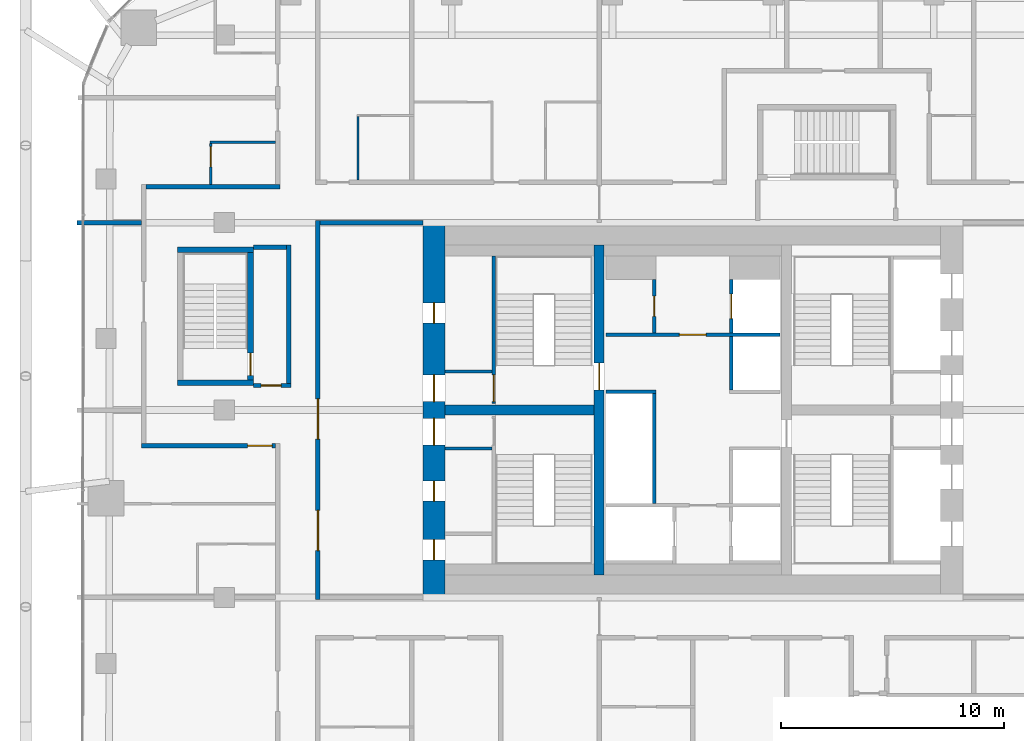
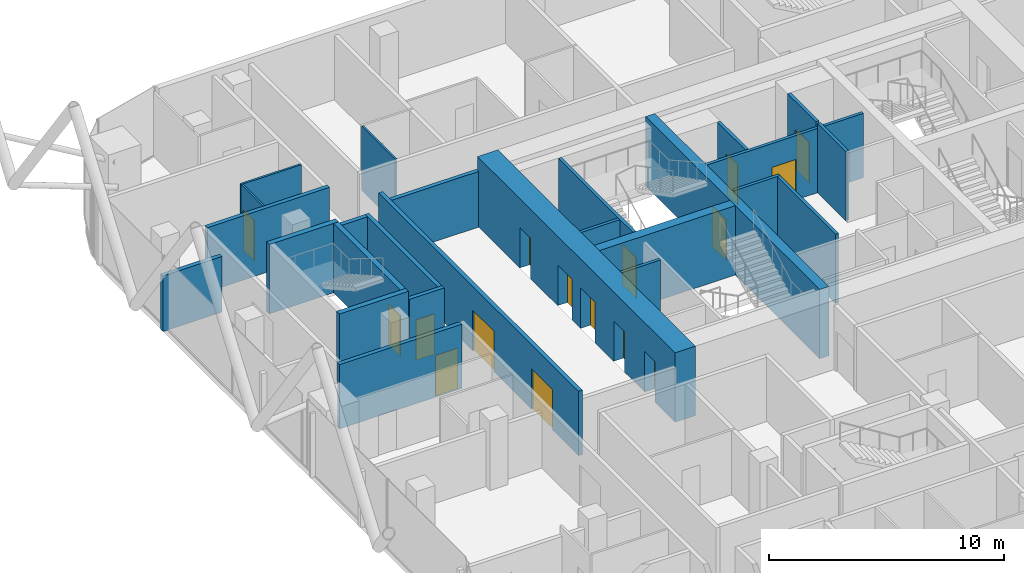
# One storey, part 31 of 36: 26 walls, 16 doors, 16 openings.
"""IFC4 building model written with IfcOpenShell, lengths in metres."""

from ifc_helpers import new_model, si_unit, direction, frame, frame_2d, origin, place, context, subcontext, project, spatial, rectangle, extrude, material, layer, layer_set, type_object, element, fill, save


model = new_model("IFC4")

# Units and contexts
model_context = context("Model", 3, precision=1e-05, world=origin(), true_north=direction((0.0, 1.0)))
body_context = subcontext(model_context, "Body", "Model", "MODEL_VIEW")
ifc_project = project(units=[si_unit("LENGTHUNIT", "METRE"), si_unit("AREAUNIT", "SQUARE_METRE"), si_unit("VOLUMEUNIT", "CUBIC_METRE"), si_unit("PLANEANGLEUNIT", "RADIAN"), si_unit("MASSUNIT", "GRAM", prefix="KILO")], contexts=[model_context])

# Site, building, storey
site_placement = place(None, origin())
site = spatial("IfcSite", under=ifc_project, at=site_placement, CompositionType="ELEMENT")
building_placement = place(site_placement, origin())
building = spatial("IfcBuilding", under=site, at=building_placement, Name="Marenta Gate Hotel Tower", CompositionType="ELEMENT")
storey_placement = place(building_placement, frame((0.0, 0.0, 130.10009765625)))
storey = spatial("IfcBuildingStorey", under=building, at=storey_placement, Name="L29", CompositionType="ELEMENT", Elevation=130.10009765625)

# Wall, openings, doors
ifc_material_1 = material(Name="Concrete blockwork", Category="masonry")
ifc_layer_1 = layer(ifc_material_1, 0.199951171875)
ifc_layer_set_1 = layer_set([ifc_layer_1], Name="Concrete blockwork")
wall_type_1 = type_object("IfcWallType", Name="Core boundary wall 200 REI 180", PredefinedType="PARTITIONING", material=ifc_layer_set_1)
wall_1_placement = place(storey_placement, frame((-16.800048828125, -0.10009765625, 0.0), z_axis=(0.0, 0.0, 1.0), x_axis=(0.0, 1.0, 0.0)))
wall_1 = element("IfcWall", 1, at=wall_1_placement, inside=storey, type_object=wall_type_1, Name="L29-CP-BW-W", PredefinedType="PARTITIONING", context=body_context, shape_type="SweptSolid", body=[
    extrude(rectangle(XDim=17.0, YDim=0.199951171875, at=frame_2d((8.5, 0.0))), origin(), (0.0, 0.0, 1.0), 3.33984375),
])
opening_1_placement = place(wall_1_placement, frame((2.199951171875, 0.0, 0.0)))
opening_1 = element("IfcOpeningElement", 2, at=opening_1_placement, cuts=wall_1, Name="Opening ED-Wa-B", PredefinedType="OPENING", context=body_context, shape_type="SweptSolid", body=[
    extrude(rectangle(XDim=1.800048828125, YDim=2.10009765625, at=frame_2d((0.89990234375, 1.050048828125))), frame((0.0, 0.10009765625, 0.0), z_axis=(0.0, -1.0, 0.0), x_axis=(1.0, 0.0, 0.0)), (0.0, 0.0, 1.0), 0.199951171875),
])
opening_2_placement = place(wall_1_placement, frame((7.199951171875, 0.0, 0.0)))
opening_2 = element("IfcOpeningElement", 3, at=opening_2_placement, cuts=wall_1, Name="Opening ED-Wb-B", PredefinedType="OPENING", context=body_context, shape_type="SweptSolid", body=[
    extrude(rectangle(XDim=1.800048828125, YDim=2.10009765625, at=frame_2d((0.89990234375, 1.050048828125))), frame((0.0, 0.10009765625, 0.0), z_axis=(0.0, -1.0, 0.0), x_axis=(1.0, 0.0, 0.0)), (0.0, 0.0, 1.0), 0.199951171875),
])
ifc_material_2 = material(Name="Steel", Category="steel")
door_type_1 = type_object("IfcDoorType", Name="Core lobby entrance door 1800x2100 EI 60", OperationType="DOUBLE_DOOR_SINGLE_SWING", PredefinedType="DOOR", material=ifc_material_2)
door_1_placement = place(opening_1_placement, origin())
door_1 = element("IfcDoor", 4, at=door_1_placement, inside=storey, type_object=door_type_1, Name="ED-Wa-B", OperationType="DOUBLE_DOOR_SINGLE_SWING", OverallHeight=2.10009765625, OverallWidth=1.800048828125, PredefinedType="DOOR", context=body_context, shape_type="SweptSolid", body=[
    extrude(rectangle(XDim=1.800048828125, YDim=2.10009765625, at=frame_2d((0.89990234375, 1.050048828125))), frame((0.0, 0.02490234375, 0.0), z_axis=(0.0, -1.0, 0.0), x_axis=(1.0, 0.0, 0.0)), (0.0, 0.0, 1.0), 0.050048828125),
])
fill(opening_1, door_1)
door_2_placement = place(opening_2_placement, origin())
door_2 = element("IfcDoor", 5, at=door_2_placement, inside=storey, type_object=door_type_1, Name="ED-Wb-B", OperationType="DOUBLE_DOOR_SINGLE_SWING", OverallHeight=2.10009765625, OverallWidth=1.800048828125, PredefinedType="DOOR", context=body_context, shape_type="SweptSolid", body=[
    extrude(rectangle(XDim=1.800048828125, YDim=2.10009765625, at=frame_2d((0.89990234375, 1.050048828125))), frame((0.0, 0.02490234375, 0.0), z_axis=(0.0, -1.0, 0.0), x_axis=(1.0, 0.0, 0.0)), (0.0, 0.0, 1.0), 0.050048828125),
])
fill(opening_2, door_2)

# Wall
wall_2_placement = place(storey_placement, frame((-16.699951171875, 16.800048828125, 0.0), z_axis=(0.0, 0.0, 1.0), x_axis=(1.0, 0.0, 0.0)))
element("IfcWall", 6, at=wall_2_placement, inside=storey, type_object=wall_type_1, Name="L29-CP-EW-WN", PredefinedType="PARTITIONING", context=body_context, shape_type="SweptSolid", body=[
    extrude(rectangle(XDim=4.599853515625, YDim=0.199951171875, at=frame_2d((2.2998046875, 0.0))), origin(), (0.0, 0.0, 1.0), 2.889892578125),
])

# Wall, opening, door
ifc_material_3 = material(Name="Concrete blockwork", Category="masonry")
ifc_layer_2 = layer(ifc_material_3, 0.14990234375)
ifc_layer_set_2 = layer_set([ifc_layer_2], Name="Concrete blockwork")
wall_type_2 = type_object("IfcWallType", Name="Core lobby partition 150 REI 180", PredefinedType="PARTITIONING", material=ifc_layer_set_2)
wall_3_placement = place(storey_placement, frame((-3.89990234375, 11.77490234375, 0.0), z_axis=(0.0, 0.0, 1.0), x_axis=(1.0, 0.0, 0.0)))
wall_3 = element("IfcWall", 7, at=wall_3_placement, inside=storey, type_object=wall_type_2, Name="L29-CP-CW-N", PredefinedType="PARTITIONING", context=body_context, shape_type="SweptSolid", body=[
    extrude(rectangle(XDim=7.7998046875, YDim=0.14990234375, at=frame_2d((3.89990234375, 0.0))), origin(), (0.0, 0.0, 1.0), 3.33984375),
])
opening_3_placement = place(wall_3_placement, frame((3.300048828125, 0.0, 0.0)))
opening_3 = element("IfcOpeningElement", 8, at=opening_3_placement, cuts=wall_3, Name="Opening FD-FFN", PredefinedType="OPENING", context=body_context, shape_type="SweptSolid", body=[
    extrude(rectangle(XDim=1.199951171875, YDim=2.10009765625, at=frame_2d((0.60009765625, 1.050048828125))), frame((0.0, 0.074951171875, 0.0), z_axis=(0.0, -1.0, 0.0), x_axis=(1.0, 0.0, 0.0)), (0.0, 0.0, 1.0), 0.14990234375),
])
ifc_material_4 = material(Name="Steel", Category="steel")
door_type_2 = type_object("IfcDoorType", Name="Core lobby door 1200x2100 FD60", OperationType="SINGLE_SWING_LEFT", PredefinedType="DOOR", material=ifc_material_4)
door_3_placement = place(opening_3_placement, origin())
door_3 = element("IfcDoor", 9, at=door_3_placement, inside=storey, type_object=door_type_2, Name="FD-FFN", OperationType="SINGLE_SWING_LEFT", OverallHeight=2.10009765625, OverallWidth=1.199951171875, PredefinedType="DOOR", context=body_context, shape_type="SweptSolid", body=[
    extrude(rectangle(XDim=1.199951171875, YDim=2.10009765625, at=frame_2d((0.60009765625, 1.050048828125))), frame((0.0, 0.02490234375, 0.0), z_axis=(0.0, -1.0, 0.0), x_axis=(1.0, 0.0, 0.0)), (0.0, 0.0, 1.0), 0.050048828125),
])
fill(opening_3, door_3)

# Walls
ifc_material_5 = material(Name="Concrete blockwork", Category="masonry")
ifc_layer_3 = layer(ifc_material_5, 0.14990234375)
ifc_layer_set_3 = layer_set([ifc_layer_3], Name="Concrete blockwork")
wall_type_3 = type_object("IfcWallType", Name="Core room partition 150 REI 180", PredefinedType="PARTITIONING", material=ifc_layer_set_3)
for number, where, z_axis, x_axis, name in (
    (10, (-11.10009765625, 6.675048828125, 0.0), (0.0, 0.0, 1.0), (1.0, 0.0, 0.0), "L29-CP-SW-WS-2"),
    (11, (-11.10009765625, 10.125, 0.0), (0.0, 0.0, 1.0), (1.0, 0.0, 0.0), "L29-CP-SW-WN-2"),
):
    element("IfcWall", number, at=place(storey_placement, frame(where, z_axis=z_axis, x_axis=x_axis)), inside=storey, type_object=wall_type_3, Name=name, PredefinedType="PARTITIONING", context=body_context, shape_type="SweptSolid", body=[
        extrude(rectangle(XDim=2.10009765625, YDim=0.14990234375, at=frame_2d((1.050048828125, 0.0))), origin(), (0.0, 0.0, 1.0), 3.33984375),
    ])

# Wall, opening, door
wall_4_placement = place(storey_placement, frame((-1.72509765625, 11.85009765625, 0.0), z_axis=(0.0, 0.0, 1.0), x_axis=(0.0, 1.0, 0.0)))
wall_4 = element("IfcWall", 12, at=wall_4_placement, inside=storey, type_object=wall_type_3, Name="L29-CP-CW-W-riser-front", PredefinedType="PARTITIONING", context=body_context, shape_type="SweptSolid", body=[
    extrude(rectangle(XDim=2.39990234375, YDim=0.14990234375, at=frame_2d((1.199951171875, 0.0))), origin(), (0.0, 0.0, 1.0), 3.33984375),
])
opening_4_placement = place(wall_4_placement, frame((0.75, 0.0, 0.0)))
opening_4 = element("IfcOpeningElement", 13, at=opening_4_placement, cuts=wall_4, Name="Opening RD-CRISER", PredefinedType="OPENING", context=body_context, shape_type="SweptSolid", body=[
    extrude(rectangle(XDim=0.89990234375, YDim=2.10009765625, at=frame_2d((0.449951171875, 1.050048828125))), frame((0.0, 0.074951171875, 0.0), z_axis=(0.0, -1.0, 0.0), x_axis=(1.0, 0.0, 0.0)), (0.0, 0.0, 1.0), 0.14990234375),
])
ifc_material_6 = material(Name="Steel", Category="steel")
door_type_3 = type_object("IfcDoorType", Name="Core riser door 900x2100 FD60", OperationType="SINGLE_SWING_LEFT", PredefinedType="DOOR", material=ifc_material_6)
door_4_placement = place(opening_4_placement, origin())
door_4 = element("IfcDoor", 14, at=door_4_placement, inside=storey, type_object=door_type_3, Name="RD-CRISER", OperationType="SINGLE_SWING_LEFT", OverallHeight=2.10009765625, OverallWidth=0.89990234375, PredefinedType="DOOR", context=body_context, shape_type="SweptSolid", body=[
    extrude(rectangle(XDim=0.89990234375, YDim=2.10009765625, at=frame_2d((0.449951171875, 1.050048828125))), frame((0.0, 0.02490234375, 0.0), z_axis=(0.0, -1.0, 0.0), x_axis=(1.0, 0.0, 0.0)), (0.0, 0.0, 1.0), 0.050048828125),
])
fill(opening_4, door_4)

# Walls
ifc_material_7 = material(Name="Concrete C40", Category="concrete")
ifc_layer_4 = layer(ifc_material_7, 0.14990234375)
ifc_layer_set_4 = layer_set([ifc_layer_4], Name="Concrete C40")
wall_type_4 = type_object("IfcWallType", Name="Core shaft wall 150 REI 180", PredefinedType="SHEAR", material=ifc_layer_set_4)
wall_5_placement = place(storey_placement, frame((-1.72509765625, 4.199951171875, 0.0), z_axis=(0.0, 0.0, 1.0), x_axis=(0.0, 1.0, 0.0)))
element("IfcWall", 15, at=wall_5_placement, inside=storey, type_object=wall_type_4, Name="L29-SHF-CW-W-front", PredefinedType="SHEAR", context=body_context, shape_type="SweptSolid", body=[
    extrude(rectangle(XDim=4.949951171875, YDim=0.14990234375, at=frame_2d((2.47509765625, 0.0))), origin(), (0.0, 0.0, 1.0), 3.599853515625),
])
wall_6_placement = place(storey_placement, frame((-3.89990234375, 9.22509765625, 0.0), z_axis=(0.0, 0.0, 1.0), x_axis=(1.0, 0.0, 0.0)))
element("IfcWall", 16, at=wall_6_placement, inside=storey, type_object=wall_type_4, Name="L29-SHF-CW-W-sep", PredefinedType="SHEAR", context=body_context, shape_type="SweptSolid", body=[
    extrude(rectangle(XDim=2.25, YDim=0.14990234375, at=frame_2d((1.125, 0.0))), origin(), (0.0, 0.0, 1.0), 3.599853515625),
])

# Wall, opening, door
wall_7_placement = place(storey_placement, frame((1.72509765625, 11.85009765625, 0.0), z_axis=(0.0, 0.0, 1.0), x_axis=(0.0, 1.0, 0.0)))
wall_7 = element("IfcWall", 17, at=wall_7_placement, inside=storey, type_object=wall_type_4, Name="L29-SHF-CE-N-front2", PredefinedType="SHEAR", context=body_context, shape_type="SweptSolid", body=[
    extrude(rectangle(XDim=2.39990234375, YDim=0.14990234375, at=frame_2d((1.199951171875, 0.0))), origin(), (0.0, 0.0, 1.0), 3.599853515625),
])
opening_5_placement = place(wall_7_placement, frame((0.64990234375, 0.0, 0.0)))
opening_5 = element("IfcOpeningElement", 18, at=opening_5_placement, cuts=wall_7, Name="Opening LD-FF2", PredefinedType="OPENING", context=body_context, shape_type="SweptSolid", body=[
    extrude(rectangle(XDim=1.10009765625, YDim=2.10009765625, at=frame_2d((0.550048828125, 1.050048828125))), frame((0.0, 0.074951171875, 0.0), z_axis=(0.0, -1.0, 0.0), x_axis=(1.0, 0.0, 0.0)), (0.0, 0.0, 1.0), 0.14990234375),
])
ifc_material_8 = material(Name="Steel", Category="steel")
door_type_4 = type_object("IfcDoorType", Name="Core lift landing door 1100x2100 E 60", OperationType="SLIDING_TO_LEFT", PredefinedType="DOOR", material=ifc_material_8)
door_5_placement = place(opening_5_placement, origin())
door_5 = element("IfcDoor", 19, at=door_5_placement, inside=storey, type_object=door_type_4, Name="LD-FF2", OperationType="SLIDING_TO_LEFT", OverallHeight=2.10009765625, OverallWidth=1.10009765625, PredefinedType="DOOR", context=body_context, shape_type="SweptSolid", body=[
    extrude(rectangle(XDim=1.10009765625, YDim=2.10009765625, at=frame_2d((0.550048828125, 1.050048828125))), frame((0.0, 0.02490234375, 0.0), z_axis=(0.0, -1.0, 0.0), x_axis=(1.0, 0.0, 0.0)), (0.0, 0.0, 1.0), 0.050048828125),
])
fill(opening_5, door_5)

# Wall
wall_8_placement = place(storey_placement, frame((1.72509765625, 9.300048828125, 0.0), z_axis=(0.0, 0.0, 1.0), x_axis=(0.0, 1.0, 0.0)))
element("IfcWall", 20, at=wall_8_placement, inside=storey, type_object=wall_type_4, Name="L29-SHF-CE-front-2", PredefinedType="SHEAR", context=body_context, shape_type="SweptSolid", body=[
    extrude(rectangle(XDim=2.39990234375, YDim=0.14990234375, at=frame_2d((1.199951171875, 0.0))), origin(), (0.0, 0.0, 1.0), 3.599853515625),
])

# Wall, opening, door
ifc_material_9 = material(Name="Concrete C40", Category="concrete")
ifc_layer_5 = layer(ifc_material_9, 0.14990234375)
ifc_layer_set_5 = layer_set([ifc_layer_5], Name="Concrete C40")
wall_type_5 = type_object("IfcWallType", Name="Core stair enclosure wall 150 REI 180", PredefinedType="SHEAR", material=ifc_layer_set_5)
wall_9_placement = place(storey_placement, frame((-8.925048828125, 8.699951171875, 0.0), z_axis=(0.0, 0.0, 1.0), x_axis=(0.0, 1.0, 0.0)))
wall_9 = element("IfcWall", 21, at=wall_9_placement, inside=storey, type_object=wall_type_5, Name="L29-SHF-SW-WN-3", PredefinedType="SHEAR", context=body_context, shape_type="SweptSolid", body=[
    extrude(rectangle(XDim=6.60009765625, YDim=0.14990234375, at=frame_2d((3.300048828125, 0.0))), origin(), (0.0, 0.0, 1.0), 3.33984375),
])
opening_6_placement = place(wall_9_placement, frame((0.074951171875, 0.0, 0.0)))
opening_6 = element("IfcOpeningElement", 22, at=opening_6_placement, cuts=wall_9, Name="Opening SD-WN", PredefinedType="OPENING", context=body_context, shape_type="SweptSolid", body=[
    extrude(rectangle(XDim=1.199951171875, YDim=2.10009765625, at=frame_2d((0.60009765625, 1.050048828125))), frame((0.0, 0.074951171875, 0.0), z_axis=(0.0, -1.0, 0.0), x_axis=(1.0, 0.0, 0.0)), (0.0, 0.0, 1.0), 0.14990234375),
])
ifc_material_10 = material(Name="Steel", Category="steel")
door_type_5 = type_object("IfcDoorType", Name="Core stair door 1200x2100 FD60", OperationType="SINGLE_SWING_LEFT", PredefinedType="DOOR", material=ifc_material_10)
door_6_placement = place(opening_6_placement, origin())
door_6 = element("IfcDoor", 23, at=door_6_placement, inside=storey, type_object=door_type_5, Name="SD-WN", OperationType="SINGLE_SWING_LEFT", OverallHeight=2.10009765625, OverallWidth=1.199951171875, PredefinedType="DOOR", context=body_context, shape_type="SweptSolid", body=[
    extrude(rectangle(XDim=1.199951171875, YDim=2.10009765625, at=frame_2d((0.60009765625, 1.050048828125))), frame((0.0, 0.02490234375, 0.0), z_axis=(0.0, -1.0, 0.0), x_axis=(1.0, 0.0, 0.0)), (0.0, 0.0, 1.0), 0.050048828125),
])
fill(opening_6, door_6)

# Wall, openings, doors
ifc_material_11 = material(Name="Concrete C70", Category="concrete")
ifc_layer_6 = layer(ifc_material_11, 1.0)
ifc_layer_set_6 = layer_set([ifc_layer_6], Name="Concrete C70")
wall_type_6 = type_object("IfcWallType", Name="Core wall 1000 C70", PredefinedType="SHEAR", material=ifc_layer_set_6)
wall_10_placement = place(storey_placement, frame((-11.60009765625, 0.0, 0.0), z_axis=(0.0, 0.0, 1.0), x_axis=(0.0, 1.0, 0.0)))
wall_10 = element("IfcWall", 24, at=wall_10_placement, inside=storey, type_object=wall_type_6, Name="L29-CORE-W", PredefinedType="SHEAR", context=body_context, shape_type="SweptSolid", body=[
    extrude(rectangle(XDim=16.800048828125, YDim=1.0, at=frame_2d((8.39990234375, 0.0))), origin(), (0.0, 0.0, 1.0), 3.599853515625),
])
opening_7_placement = place(wall_10_placement, frame((1.6875, 0.0, 0.0)))
opening_7 = element("IfcOpeningElement", 25, at=opening_7_placement, cuts=wall_10, Name="Opening RD-WS-1", PredefinedType="OPENING", context=body_context, shape_type="SweptSolid", body=[
    extrude(rectangle(XDim=0.89990234375, YDim=2.10009765625, at=frame_2d((0.449951171875, 1.050048828125))), frame((0.0, 0.5, 0.0), z_axis=(0.0, -1.0, 0.0), x_axis=(1.0, 0.0, 0.0)), (0.0, 0.0, 1.0), 1.0),
])
opening_8_placement = place(wall_10_placement, frame((4.3125, 0.0, 0.0)))
opening_8 = element("IfcOpeningElement", 26, at=opening_8_placement, cuts=wall_10, Name="Opening RD-WS-2", PredefinedType="OPENING", context=body_context, shape_type="SweptSolid", body=[
    extrude(rectangle(XDim=0.89990234375, YDim=2.10009765625, at=frame_2d((0.449951171875, 1.050048828125))), frame((0.0, 0.5, 0.0), z_axis=(0.0, -1.0, 0.0), x_axis=(1.0, 0.0, 0.0)), (0.0, 0.0, 1.0), 1.0),
])
opening_9_placement = place(wall_10_placement, frame((6.824951171875, 0.0, 0.0)))
opening_9 = element("IfcOpeningElement", 27, at=opening_9_placement, cuts=wall_10, Name="Opening PD-WS", PredefinedType="OPENING", context=body_context, shape_type="SweptSolid", body=[
    extrude(rectangle(XDim=1.199951171875, YDim=2.10009765625, at=frame_2d((0.60009765625, 1.050048828125))), frame((0.0, 0.5, 0.0), z_axis=(0.0, -1.0, 0.0), x_axis=(1.0, 0.0, 0.0)), (0.0, 0.0, 1.0), 1.0),
])
opening_10_placement = place(wall_10_placement, frame((12.300048828125, 0.0, 0.0)))
opening_10 = element("IfcOpeningElement", 28, at=opening_10_placement, cuts=wall_10, Name="Opening RD-WN-1", PredefinedType="OPENING", context=body_context, shape_type="SweptSolid", body=[
    extrude(rectangle(XDim=0.89990234375, YDim=2.10009765625, at=frame_2d((0.449951171875, 1.050048828125))), frame((0.0, 0.5, 0.0), z_axis=(0.0, -1.0, 0.0), x_axis=(1.0, 0.0, 0.0)), (0.0, 0.0, 1.0), 1.0),
])
opening_11_placement = place(wall_10_placement, frame((8.77490234375, 0.0, 0.0)))
opening_11 = element("IfcOpeningElement", 29, at=opening_11_placement, cuts=wall_10, Name="Opening PD-WN", PredefinedType="OPENING", context=body_context, shape_type="SweptSolid", body=[
    extrude(rectangle(XDim=1.199951171875, YDim=2.10009765625, at=frame_2d((0.60009765625, 1.050048828125))), frame((0.0, 0.5, 0.0), z_axis=(0.0, -1.0, 0.0), x_axis=(1.0, 0.0, 0.0)), (0.0, 0.0, 1.0), 1.0),
])
door_7_placement = place(opening_9_placement, origin())
door_7 = element("IfcDoor", 30, at=door_7_placement, inside=storey, type_object=door_type_2, Name="PD-WS", OperationType="SINGLE_SWING_LEFT", OverallHeight=2.10009765625, OverallWidth=1.199951171875, PredefinedType="DOOR", context=body_context, shape_type="SweptSolid", body=[
    extrude(rectangle(XDim=1.199951171875, YDim=2.10009765625, at=frame_2d((0.60009765625, 1.050048828125))), frame((0.0, 0.02490234375, 0.0), z_axis=(0.0, -1.0, 0.0), x_axis=(1.0, 0.0, 0.0)), (0.0, 0.0, 1.0), 0.050048828125),
])
fill(opening_9, door_7)
door_8_placement = place(opening_11_placement, origin())
door_8 = element("IfcDoor", 31, at=door_8_placement, inside=storey, type_object=door_type_2, Name="PD-WN", OperationType="SINGLE_SWING_LEFT", OverallHeight=2.10009765625, OverallWidth=1.199951171875, PredefinedType="DOOR", context=body_context, shape_type="SweptSolid", body=[
    extrude(rectangle(XDim=1.199951171875, YDim=2.10009765625, at=frame_2d((0.60009765625, 1.050048828125))), frame((0.0, 0.02490234375, 0.0), z_axis=(0.0, -1.0, 0.0), x_axis=(1.0, 0.0, 0.0)), (0.0, 0.0, 1.0), 0.050048828125),
])
fill(opening_11, door_8)
ifc_material_12 = material(Name="Steel", Category="steel")
door_type_6 = type_object("IfcDoorType", Name="Core service room door 900x2100 FD30S", OperationType="SINGLE_SWING_LEFT", PredefinedType="DOOR", material=ifc_material_12)
door_9_placement = place(opening_7_placement, origin())
door_9 = element("IfcDoor", 32, at=door_9_placement, inside=storey, type_object=door_type_6, Name="RD-WS-1", OperationType="SINGLE_SWING_LEFT", OverallHeight=2.10009765625, OverallWidth=0.89990234375, PredefinedType="DOOR", context=body_context, shape_type="SweptSolid", body=[
    extrude(rectangle(XDim=0.89990234375, YDim=2.10009765625, at=frame_2d((0.449951171875, 1.050048828125))), frame((0.0, 0.02490234375, 0.0), z_axis=(0.0, -1.0, 0.0), x_axis=(1.0, 0.0, 0.0)), (0.0, 0.0, 1.0), 0.050048828125),
])
fill(opening_7, door_9)
door_10_placement = place(opening_8_placement, origin())
door_10 = element("IfcDoor", 33, at=door_10_placement, inside=storey, type_object=door_type_6, Name="RD-WS-2", OperationType="SINGLE_SWING_LEFT", OverallHeight=2.10009765625, OverallWidth=0.89990234375, PredefinedType="DOOR", context=body_context, shape_type="SweptSolid", body=[
    extrude(rectangle(XDim=0.89990234375, YDim=2.10009765625, at=frame_2d((0.449951171875, 1.050048828125))), frame((0.0, 0.02490234375, 0.0), z_axis=(0.0, -1.0, 0.0), x_axis=(1.0, 0.0, 0.0)), (0.0, 0.0, 1.0), 0.050048828125),
])
fill(opening_8, door_10)
door_11_placement = place(opening_10_placement, origin())
door_11 = element("IfcDoor", 34, at=door_11_placement, inside=storey, type_object=door_type_6, Name="RD-WN-1", OperationType="SINGLE_SWING_LEFT", OverallHeight=2.10009765625, OverallWidth=0.89990234375, PredefinedType="DOOR", context=body_context, shape_type="SweptSolid", body=[
    extrude(rectangle(XDim=0.89990234375, YDim=2.10009765625, at=frame_2d((0.449951171875, 1.050048828125))), frame((0.0, 0.02490234375, 0.0), z_axis=(0.0, -1.0, 0.0), x_axis=(1.0, 0.0, 0.0)), (0.0, 0.0, 1.0), 0.050048828125),
])
fill(opening_10, door_11)

# Wall, opening, door
ifc_material_13 = material(Name="Concrete C70", Category="concrete")
ifc_layer_7 = layer(ifc_material_13, 0.449951171875)
ifc_layer_set_7 = layer_set([ifc_layer_7], Name="Concrete C70")
wall_type_7 = type_object("IfcWallType", Name="Core web 450 C70", PredefinedType="SHEAR", material=ifc_layer_set_7)
wall_11_placement = place(storey_placement, frame((-4.199951171875, 1.0, 0.0), z_axis=(0.0, 0.0, 1.0), x_axis=(0.0, 1.0, 0.0)))
wall_11 = element("IfcWall", 35, at=wall_11_placement, inside=storey, type_object=wall_type_7, Name="L29-CORE-W1", PredefinedType="SHEAR", context=body_context, shape_type="SweptSolid", body=[
    extrude(rectangle(XDim=14.800048828125, YDim=0.449951171875, at=frame_2d((7.39990234375, 0.0))), origin(), (0.0, 0.0, 1.0), 3.599853515625),
])
opening_12_placement = place(wall_11_placement, frame((8.300048828125, 0.0, 0.0)))
opening_12 = element("IfcOpeningElement", 36, at=opening_12_placement, cuts=wall_11, Name="Opening WD-W", PredefinedType="OPENING", context=body_context, shape_type="SweptSolid", body=[
    extrude(rectangle(XDim=1.199951171875, YDim=2.10009765625, at=frame_2d((0.60009765625, 1.050048828125))), frame((0.0, 0.22509765625, 0.0), z_axis=(0.0, -1.0, 0.0), x_axis=(1.0, 0.0, 0.0)), (0.0, 0.0, 1.0), 0.449951171875),
])
door_12_placement = place(opening_12_placement, origin())
door_12 = element("IfcDoor", 37, at=door_12_placement, inside=storey, type_object=door_type_5, Name="WD-W", OperationType="SINGLE_SWING_LEFT", OverallHeight=2.10009765625, OverallWidth=1.199951171875, PredefinedType="DOOR", context=body_context, shape_type="SweptSolid", body=[
    extrude(rectangle(XDim=1.199951171875, YDim=2.10009765625, at=frame_2d((0.60009765625, 1.050048828125))), frame((0.0, 0.02490234375, 0.0), z_axis=(0.0, -1.0, 0.0), x_axis=(1.0, 0.0, 0.0)), (0.0, 0.0, 1.0), 0.050048828125),
])
fill(opening_12, door_12)

# Walls
wall_12_placement = place(storey_placement, frame((-11.10009765625, 8.39990234375, 0.0), z_axis=(0.0, 0.0, 1.0), x_axis=(1.0, 0.0, 0.0)))
element("IfcWall", 38, at=wall_12_placement, inside=storey, type_object=wall_type_7, Name="L29-CORE-W3", PredefinedType="SHEAR", context=body_context, shape_type="SweptSolid", body=[
    extrude(rectangle(XDim=6.675048828125, YDim=0.449951171875, at=frame_2d((3.33740234375, 0.0))), origin(), (0.0, 0.0, 1.0), 3.599853515625),
])
ifc_material_14 = material(Name="Concrete C40", Category="concrete")
ifc_layer_8 = layer(ifc_material_14, 0.25)
ifc_layer_set_8 = layer_set([ifc_layer_8], Name="Concrete C40")
wall_type_8 = type_object("IfcWallType", Name="Remote stair enclosure wall 250 REI 180", PredefinedType="SHEAR", material=ifc_layer_set_8)
for number, where, z_axis, x_axis, name in (
    (39, (-23.10009765625, 9.625, 0.099853515625), (0.0, 0.0, 1.0), (1.0, 0.0, 0.0), "L29-RS-Z1-3-W1"),
    (40, (-23.10009765625, 15.574951171875, 0.099853515625), (0.0, 0.0, 1.0), (1.0, 0.0, 0.0), "L29-RS-Z1-3-W2"),
):
    element("IfcWall", number, at=place(storey_placement, frame(where, z_axis=z_axis, x_axis=x_axis)), inside=storey, type_object=wall_type_8, Name=name, PredefinedType="SHEAR", context=body_context, shape_type="SweptSolid", body=[
        extrude(rectangle(XDim=3.400146484375, YDim=0.25, at=frame_2d((1.7001953125, 0.0))), origin(), (0.0, 0.0, 1.0), 3.60009765625),
    ])

# Wall, opening, door
wall_13_placement = place(storey_placement, frame((-19.824951171875, 9.75, 0.099853515625), z_axis=(0.0, 0.0, 1.0), x_axis=(0.0, 1.0, 0.0)))
wall_13 = element("IfcWall", 41, at=wall_13_placement, inside=storey, type_object=wall_type_8, Name="L29-RS-Z1-3-W4", PredefinedType="SHEAR", context=body_context, shape_type="SweptSolid", body=[
    extrude(rectangle(XDim=5.699951171875, YDim=0.25, at=frame_2d((2.85009765625, 0.0))), origin(), (0.0, 0.0, 1.0), 3.60009765625),
])
opening_13_placement = place(wall_13_placement, frame((0.199951171875, 0.0, 0.0)))
opening_13 = element("IfcOpeningElement", 42, at=opening_13_placement, cuts=wall_13, Name="Opening VD", PredefinedType="OPENING", context=body_context, shape_type="SweptSolid", body=[
    extrude(rectangle(XDim=1.0, YDim=2.10009765625, at=frame_2d((0.5, 1.050048828125))), frame((0.0, 0.125, 0.0), z_axis=(0.0, -1.0, 0.0), x_axis=(1.0, 0.0, 0.0)), (0.0, 0.0, 1.0), 0.25),
])
ifc_material_15 = material(Name="Steel", Category="steel")
door_type_7 = type_object("IfcDoorType", Name="Stair vestibule door 1000x2100 FD60", OperationType="SINGLE_SWING_LEFT", PredefinedType="DOOR", material=ifc_material_15)
door_13_placement = place(opening_13_placement, origin())
door_13 = element("IfcDoor", 43, at=door_13_placement, inside=storey, type_object=door_type_7, Name="VD", OperationType="SINGLE_SWING_LEFT", OverallHeight=2.10009765625, OverallWidth=1.0, PredefinedType="DOOR", context=body_context, shape_type="SweptSolid", body=[
    extrude(rectangle(XDim=1.0, YDim=2.10009765625, at=frame_2d((0.5, 1.050048828125))), frame((0.0, 0.02490234375, 0.0), z_axis=(0.0, -1.0, 0.0), x_axis=(1.0, 0.0, 0.0)), (0.0, 0.0, 1.0), 0.050048828125),
])
fill(opening_13, door_13)

ifc_material_16 = material(Name="Gypsum board on steel stud", Category="steel")
ifc_layer_9 = layer(ifc_material_16, 0.199951171875)
ifc_layer_set_9 = layer_set([ifc_layer_9], Name="Gypsum board on steel stud")
wall_type_9 = type_object("IfcWallType", Name="Room corridor wall 200 EI 60", PredefinedType="PARTITIONING", material=ifc_layer_set_9)
wall_14_placement = place(storey_placement, frame((-24.699951171875, 6.800048828125, 0.0), z_axis=(0.0, 0.0, 1.0), x_axis=(1.0, 0.0, 0.0)))
wall_14 = element("IfcWall", 44, at=wall_14_placement, inside=storey, type_object=wall_type_9, Name="L29-PTN-W086", PredefinedType="PARTITIONING", context=body_context, shape_type="SweptSolid", body=[
    extrude(rectangle(XDim=6.0, YDim=0.199951171875, at=frame_2d((3.0, 0.0))), origin(), (0.0, 0.0, 1.0), 3.33984375),
])
opening_14_placement = place(wall_14_placement, frame((4.75, 0.0, 0.0)))
opening_14 = element("IfcOpeningElement", 45, at=opening_14_placement, cuts=wall_14, Name="Opening G10-61", PredefinedType="OPENING", context=body_context, shape_type="SweptSolid", body=[
    extrude(rectangle(XDim=1.10009765625, YDim=2.10009765625, at=frame_2d((0.550048828125, 1.050048828125))), frame((0.0, 0.10009765625, 0.0), z_axis=(0.0, -1.0, 0.0), x_axis=(1.0, 0.0, 0.0)), (0.0, 0.0, 1.0), 0.199951171875),
])
ifc_material_17 = material(Name="Timber door leaf", Category="wood")
door_type_8 = type_object("IfcDoorType", Name="Guest room door 1100x2100 EI 30", OperationType="NOTDEFINED", PredefinedType="DOOR", material=ifc_material_17)
door_14_placement = place(opening_14_placement, origin())
door_14 = element("IfcDoor", 46, at=door_14_placement, inside=storey, type_object=door_type_8, Name="L29-PD-D061", OperationType="SINGLE_SWING_LEFT", OverallHeight=2.10009765625, OverallWidth=1.10009765625, PredefinedType="DOOR", context=body_context, shape_type="SweptSolid", body=[
    extrude(rectangle(XDim=1.10009765625, YDim=2.10009765625, at=frame_2d((0.550048828125, 1.050048828125))), frame((0.0, 0.02490234375, 0.0), z_axis=(0.0, -1.0, 0.0), x_axis=(1.0, 0.0, 0.0)), (0.0, 0.0, 1.0), 0.050048828125),
])
fill(opening_14, door_14)

# Wall
wall_15_placement = place(storey_placement, frame((-24.5, 18.39990234375, 0.0), z_axis=(0.0, 0.0, 1.0), x_axis=(1.0, 0.0, 0.0)))
element("IfcWall", 47, at=wall_15_placement, inside=storey, type_object=wall_type_9, Name="L29-PTN-W110", PredefinedType="PARTITIONING", context=body_context, shape_type="SweptSolid", body=[
    extrude(rectangle(XDim=6.0, YDim=0.199951171875, at=frame_2d((3.0, 0.0))), origin(), (0.0, 0.0, 1.0), 3.33984375),
])

# Wall, opening, door
ifc_material_18 = material(Name="Concrete blockwork", Category="masonry")
ifc_layer_10 = layer(ifc_material_18, 0.199951171875)
ifc_layer_set_10 = layer_set([ifc_layer_10], Name="Concrete blockwork")
wall_type_10 = type_object("IfcWallType", Name="Room corridor wall 200 REI 180", PredefinedType="PARTITIONING", material=ifc_layer_set_10)
wall_16_placement = place(storey_placement, frame((-19.699951171875, 9.5, 0.0), z_axis=(0.0, 0.0, 1.0), x_axis=(1.0, 0.0, 0.0)))
wall_16 = element("IfcWall", 48, at=wall_16_placement, inside=storey, type_object=wall_type_10, Name="L29-PTN-W092", PredefinedType="PARTITIONING", context=body_context, shape_type="SweptSolid", body=[
    extrude(rectangle(XDim=1.699951171875, YDim=0.199951171875, at=frame_2d((0.85009765625, 0.0))), origin(), (0.0, 0.0, 1.0), 3.33984375),
])
opening_15_placement = place(wall_16_placement, frame((0.35009765625, 0.0, 0.0)))
opening_15 = element("IfcOpeningElement", 49, at=opening_15_placement, cuts=wall_16, Name="Opening G10-69", PredefinedType="OPENING", context=body_context, shape_type="SweptSolid", body=[
    extrude(rectangle(XDim=0.89990234375, YDim=2.10009765625, at=frame_2d((0.449951171875, 1.050048828125))), frame((0.0, 0.10009765625, 0.0), z_axis=(0.0, -1.0, 0.0), x_axis=(1.0, 0.0, 0.0)), (0.0, 0.0, 1.0), 0.199951171875),
])
ifc_material_19 = material(Name="Hollow steel door set", Category="steel")
door_type_9 = type_object("IfcDoorType", Name="Stair vestibule door 900x2100 EI 60", OperationType="NOTDEFINED", PredefinedType="DOOR", material=ifc_material_19)
door_15_placement = place(opening_15_placement, origin())
door_15 = element("IfcDoor", 50, at=door_15_placement, inside=storey, type_object=door_type_9, Name="L29-PD-D069", OperationType="SINGLE_SWING_RIGHT", OverallHeight=2.10009765625, OverallWidth=0.89990234375, PredefinedType="DOOR", context=body_context, shape_type="SweptSolid", body=[
    extrude(rectangle(XDim=0.89990234375, YDim=2.10009765625, at=frame_2d((0.449951171875, 1.050048828125))), frame((0.0, 0.02490234375, 0.0), z_axis=(0.0, -1.0, 0.0), x_axis=(1.0, 0.0, 0.0)), (0.0, 0.0, 1.0), 0.050048828125),
])
fill(opening_15, door_15)

# Walls
wall_17_placement = place(storey_placement, frame((-19.699951171875, 15.699951171875, 0.0), z_axis=(0.0, 0.0, 1.0), x_axis=(1.0, 0.0, 0.0)))
element("IfcWall", 51, at=wall_17_placement, inside=storey, type_object=wall_type_10, Name="L29-PTN-W103", PredefinedType="PARTITIONING", context=body_context, shape_type="SweptSolid", body=[
    extrude(rectangle(XDim=1.5, YDim=0.199951171875, at=frame_2d((0.75, 0.0))), origin(), (0.0, 0.0, 1.0), 3.33984375),
])
wall_18_placement = place(storey_placement, frame((-18.10009765625, 9.60009765625, 0.0), z_axis=(0.0, 0.0, 1.0), x_axis=(0.0, 1.0, 0.0)))
element("IfcWall", 52, at=wall_18_placement, inside=storey, type_object=wall_type_10, Name="L29-PTN-W109", PredefinedType="PARTITIONING", context=body_context, shape_type="SweptSolid", body=[
    extrude(rectangle(XDim=6.199951171875, YDim=0.199951171875, at=frame_2d((3.10009765625, 0.0))), origin(), (0.0, 0.0, 1.0), 3.33984375),
])
ifc_material_20 = material(Name="Gypsum board on steel stud", Category="steel")
ifc_layer_11 = layer(ifc_material_20, 0.10009765625)
ifc_layer_set_11 = layer_set([ifc_layer_11], Name="Gypsum board on steel stud")
wall_type_11 = type_object("IfcWallType", Name="Room partition 100", PredefinedType="PARTITIONING", material=ifc_layer_set_11)
wall_19_placement = place(storey_placement, frame((-15.0, 18.699951171875, 0.0), z_axis=(0.0, 0.0, 1.0), x_axis=(0.0, 1.0, 0.0)))
element("IfcWall", 53, at=wall_19_placement, inside=storey, type_object=wall_type_11, Name="L29-PTN-W101", PredefinedType="PARTITIONING", context=body_context, shape_type="SweptSolid", body=[
    extrude(rectangle(XDim=2.85009765625, YDim=0.10009765625, at=frame_2d((1.425048828125, 0.0))), origin(), (0.0, 0.0, 1.0), 3.33984375),
])
wall_20_placement = place(storey_placement, frame((-21.64990234375, 20.39990234375, 0.0), z_axis=(0.0, 0.0, 1.0), x_axis=(1.0, 0.0, 0.0)))
element("IfcWall", 54, at=wall_20_placement, inside=storey, type_object=wall_type_11, Name="L29-PTN-W115", PredefinedType="PARTITIONING", context=body_context, shape_type="SweptSolid", body=[
    extrude(rectangle(XDim=2.949951171875, YDim=0.10009765625, at=frame_2d((1.47509765625, 0.0))), origin(), (0.0, 0.0, 1.0), 3.33984375),
])

# Wall, opening, door
wall_21_placement = place(storey_placement, frame((-21.60009765625, 18.5, 0.0), z_axis=(0.0, 0.0, 1.0), x_axis=(0.0, 1.0, 0.0)))
wall_21 = element("IfcWall", 55, at=wall_21_placement, inside=storey, type_object=wall_type_11, Name="L29-PTN-W119", PredefinedType="PARTITIONING", context=body_context, shape_type="SweptSolid", body=[
    extrude(rectangle(XDim=1.85009765625, YDim=0.10009765625, at=frame_2d((0.925048828125, 0.0))), origin(), (0.0, 0.0, 1.0), 3.33984375),
])
opening_16_placement = place(wall_21_placement, frame((0.800048828125, 0.0, 0.0)))
opening_16 = element("IfcOpeningElement", 56, at=opening_16_placement, cuts=wall_21, Name="Opening G10-66", PredefinedType="OPENING", context=body_context, shape_type="SweptSolid", body=[
    extrude(rectangle(XDim=0.89990234375, YDim=2.10009765625, at=frame_2d((0.449951171875, 1.050048828125))), frame((0.0, 0.050048828125, 0.0), z_axis=(0.0, -1.0, 0.0), x_axis=(1.0, 0.0, 0.0)), (0.0, 0.0, 1.0), 0.10009765625),
])
ifc_material_21 = material(Name="Timber door leaf", Category="wood")
door_type_10 = type_object("IfcDoorType", Name="Guest bathroom door 900x2100", OperationType="NOTDEFINED", PredefinedType="DOOR", material=ifc_material_21)
door_16_placement = place(opening_16_placement, origin())
door_16 = element("IfcDoor", 57, at=door_16_placement, inside=storey, type_object=door_type_10, Name="L29-PD-D066", OperationType="SINGLE_SWING_LEFT", OverallHeight=2.10009765625, OverallWidth=0.89990234375, PredefinedType="DOOR", context=body_context, shape_type="SweptSolid", body=[
    extrude(rectangle(XDim=0.89990234375, YDim=2.10009765625, at=frame_2d((0.449951171875, 1.050048828125))), frame((0.0, 0.02490234375, 0.0), z_axis=(0.0, -1.0, 0.0), x_axis=(1.0, 0.0, 0.0)), (0.0, 0.0, 1.0), 0.050048828125),
])
fill(opening_16, door_16)

# Wall
ifc_material_22 = material(Name="Gypsum board on steel stud", Category="steel")
ifc_layer_12 = layer(ifc_material_22, 0.199951171875)
ifc_layer_set_12 = layer_set([ifc_layer_12], Name="Gypsum board on steel stud")
wall_type_12 = type_object("IfcWallType", Name="Room party wall 200 EI 60", PredefinedType="PARTITIONING", material=ifc_layer_set_12)
wall_22_placement = place(storey_placement, frame((-27.60009765625, 16.800048828125, 0.0), z_axis=(0.0, 0.0, 1.0), x_axis=(1.0, 0.0, 0.0)))
element("IfcWall", 58, at=wall_22_placement, inside=storey, type_object=wall_type_12, Name="L29-PTN-W107", PredefinedType="PARTITIONING", context=body_context, shape_type="SweptSolid", body=[
    extrude(rectangle(XDim=2.900146484375, YDim=0.199951171875, at=frame_2d((1.4501953125, 0.0))), origin(), (0.0, 0.0, 1.0), 2.889892578125),
])

save(model, "model.ifc")
